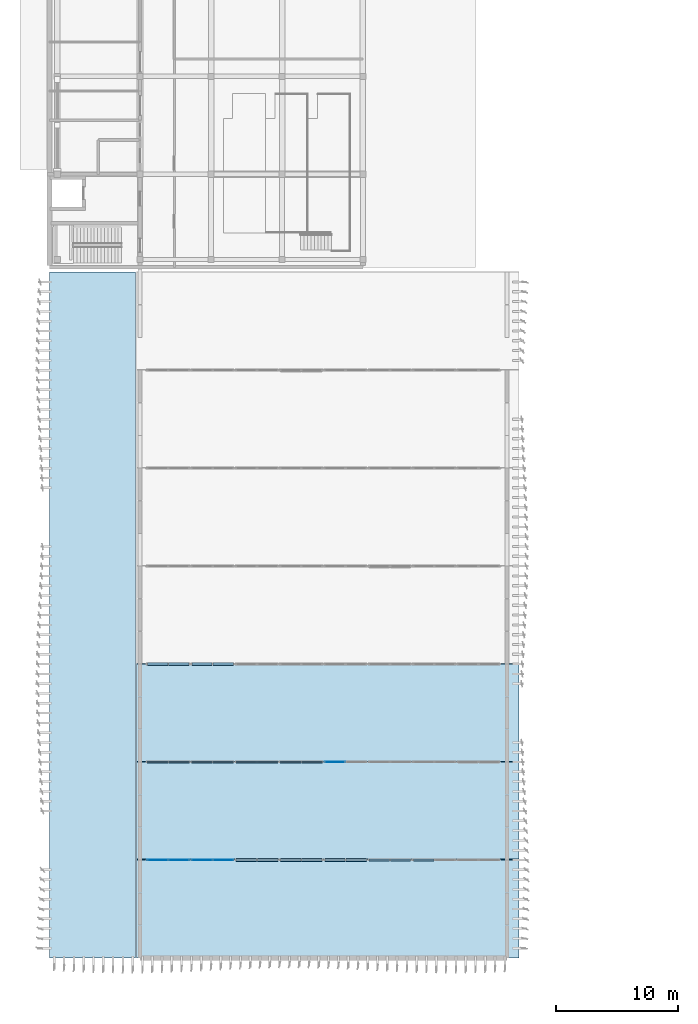
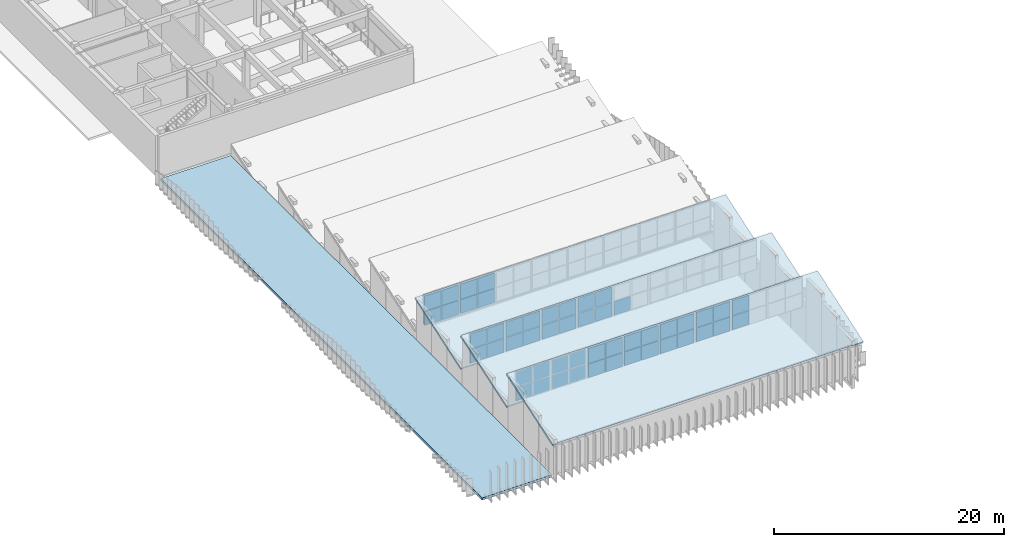
# One storey, part 18 of 45: 51 plates, 4 slabs, 14 elements without a shape of their own.
"""IFC4 building model written with IfcOpenShell, lengths in metres."""

from ifc_helpers import new_model, si_unit, direction, frame, origin, origin_2d, place, context, subcontext, project, spatial, polyline, rectangle, outline, extrude, material, layer, layer_set, type_object, element, aggregate, save


model = new_model("IFC4")

# Units and contexts
model_context = context("Model", 3, precision=1e-05, world=origin(), true_north=direction((0.0, 1.0)))
body_context = subcontext(model_context, "Body", "Model", "MODEL_VIEW")
ifc_project = project(units=[si_unit("LENGTHUNIT", "METRE"), si_unit("AREAUNIT", "SQUARE_METRE"), si_unit("VOLUMEUNIT", "CUBIC_METRE"), si_unit("PLANEANGLEUNIT", "RADIAN"), si_unit("MASSUNIT", "GRAM", prefix="KILO")], contexts=[model_context])

# Site, building, storey
site_placement = place(None, origin())
site = spatial("IfcSite", under=ifc_project, at=site_placement, CompositionType="ELEMENT")
building_placement = place(site_placement, origin())
building = spatial("IfcBuilding", under=site, at=building_placement, Name="Cinchona Park Media Centre", CompositionType="ELEMENT")
storey_placement = place(building_placement, frame((0.0, 0.0, 20.39990234375)))
storey = spatial("IfcBuildingStorey", under=building, at=storey_placement, Name="L04", CompositionType="ELEMENT", Elevation=20.39990234375)

# Curtain wall, plates
ifc_material_1 = material(Name="Aluminium Curtain Wall Framing", Category="aluminium")
ifc_layer_1 = layer(ifc_material_1, 0.31494140625)
ifc_layer_set_1 = layer_set([ifc_layer_1], Name="Aluminium Curtain Wall Framing")
curtain_wall_type = type_object("IfcCurtainWallType", Name="CW-CW10", PredefinedType="USERDEFINED", material=ifc_layer_set_1)
curtain_wall_1_placement = place(storey_placement, origin())
curtain_wall_1 = element("IfcCurtainWall", 1, at=curtain_wall_1_placement, inside=storey, type_object=curtain_wall_type, Name="North-Light Sawtooth Clerestory V1 Bay 1.7 CW10 L04", ObjectType="UNITISED CURTAIN WALL", PredefinedType="USERDEFINED")
ifc_material_2 = material(Name="Laminated Solar-Control Double Glazing", Category="glass")
ifc_layer_2 = layer(ifc_material_2, 0.02001953125)
ifc_layer_set_2 = layer_set([ifc_layer_2], Name="Laminated Solar-Control Double Glazing")
plate_type_1 = type_object("IfcPlateType", Name="CWPANEL-PNL01", PredefinedType="CURTAIN_PANEL", material=ifc_layer_set_2)
plate_1_placement = place(storey_placement, frame((22.197509765625, 15.60009765625, 2.650146484375), z_axis=(0.0, 0.0, 1.0), x_axis=(-1.0, 0.0, 0.0)))
plate_1 = element("IfcPlate", 2, at=plate_1_placement, type_object=plate_type_1, Name="CW10 panel 1.1", PredefinedType="CURTAIN_PANEL", context=body_context, shape_type="SweptSolid", body=[
    extrude(rectangle(XDim=1.6650390625, YDim=0.02001953125, at=origin_2d()), origin(), (0.0, 0.0, 1.0), 1.4580078125),
])
plate_2_placement = place(storey_placement, frame((22.197509765625, 15.60009765625, 4.17822265625), z_axis=(0.0, 0.0, 1.0), x_axis=(-1.0, 0.0, 0.0)))
plate_2 = element("IfcPlate", 3, at=plate_2_placement, type_object=plate_type_1, Name="CW10 panel 1.2", PredefinedType="CURTAIN_PANEL", context=body_context, shape_type="SweptSolid", body=[
    extrude(rectangle(XDim=1.6650390625, YDim=0.02001953125, at=origin_2d()), origin(), (0.0, 0.0, 1.0), 1.589111328125),
])
plate_3_placement = place(storey_placement, frame((20.46240234375, 15.60009765625, 2.650146484375), z_axis=(0.0, 0.0, 1.0), x_axis=(-1.0, 0.0, 0.0)))
plate_3 = element("IfcPlate", 4, at=plate_3_placement, type_object=plate_type_1, Name="CW10 panel 2.1", PredefinedType="CURTAIN_PANEL", context=body_context, shape_type="SweptSolid", body=[
    extrude(rectangle(XDim=1.6650390625, YDim=0.02001953125, at=origin_2d()), origin(), (0.0, 0.0, 1.0), 1.4580078125),
])
plate_4_placement = place(storey_placement, frame((20.46240234375, 15.60009765625, 4.17822265625), z_axis=(0.0, 0.0, 1.0), x_axis=(-1.0, 0.0, 0.0)))
plate_4 = element("IfcPlate", 5, at=plate_4_placement, type_object=plate_type_1, Name="CW10 panel 2.2", PredefinedType="CURTAIN_PANEL", context=body_context, shape_type="SweptSolid", body=[
    extrude(rectangle(XDim=1.6650390625, YDim=0.02001953125, at=origin_2d()), origin(), (0.0, 0.0, 1.0), 1.589111328125),
])
aggregate(curtain_wall_1, [plate_1, plate_2, plate_3, plate_4])

curtain_wall_2_placement = place(storey_placement, origin())
curtain_wall_2 = element("IfcCurtainWall", 6, at=curtain_wall_2_placement, inside=storey, type_object=curtain_wall_type, Name="North-Light Sawtooth Clerestory V1 Bay 1.8 CW10 L04", ObjectType="UNITISED CURTAIN WALL", PredefinedType="USERDEFINED")
ifc_material_3 = material(Name="Laminated Solar-Control Double Glazing", Category="glass")
ifc_layer_3 = layer(ifc_material_3, 0.0400390625)
ifc_layer_set_3 = layer_set([ifc_layer_3], Name="Laminated Solar-Control Double Glazing")
plate_type_2 = type_object("IfcPlateType", Name="CWPANEL-PNL03", PredefinedType="CURTAIN_PANEL", material=ifc_layer_set_3)
plate_5_placement = place(storey_placement, frame((18.577392578125, 15.60009765625, 2.650146484375), z_axis=(0.0, 0.0, 1.0), x_axis=(-1.0, 0.0, 0.0)))
plate_5 = element("IfcPlate", 7, at=plate_5_placement, type_object=plate_type_2, Name="CW10 panel 1.1", PredefinedType="CURTAIN_PANEL", context=body_context, shape_type="SweptSolid", body=[
    extrude(rectangle(XDim=1.6650390625, YDim=0.0400390625, at=origin_2d()), origin(), (0.0, 0.0, 1.0), 1.4580078125),
])
plate_6_placement = place(storey_placement, frame((18.577392578125, 15.60009765625, 4.17822265625), z_axis=(0.0, 0.0, 1.0), x_axis=(-1.0, 0.0, 0.0)))
plate_6 = element("IfcPlate", 8, at=plate_6_placement, type_object=plate_type_2, Name="CW10 panel 1.2", PredefinedType="CURTAIN_PANEL", context=body_context, shape_type="SweptSolid", body=[
    extrude(rectangle(XDim=1.6650390625, YDim=0.0400390625, at=origin_2d()), origin(), (0.0, 0.0, 1.0), 1.589111328125),
])
plate_7_placement = place(storey_placement, frame((16.842529296875, 15.60009765625, 2.650146484375), z_axis=(0.0, 0.0, 1.0), x_axis=(-1.0, 0.0, 0.0)))
plate_7 = element("IfcPlate", 9, at=plate_7_placement, type_object=plate_type_2, Name="CW10 panel 2.1", PredefinedType="CURTAIN_PANEL", context=body_context, shape_type="SweptSolid", body=[
    extrude(rectangle(XDim=1.6650390625, YDim=0.0400390625, at=origin_2d()), origin(), (0.0, 0.0, 1.0), 1.4580078125),
])
plate_8_placement = place(storey_placement, frame((16.842529296875, 15.60009765625, 4.17822265625), z_axis=(0.0, 0.0, 1.0), x_axis=(-1.0, 0.0, 0.0)))
plate_8 = element("IfcPlate", 10, at=plate_8_placement, type_object=plate_type_2, Name="CW10 panel 2.2", PredefinedType="CURTAIN_PANEL", context=body_context, shape_type="SweptSolid", body=[
    extrude(rectangle(XDim=1.6650390625, YDim=0.0400390625, at=origin_2d()), origin(), (0.0, 0.0, 1.0), 1.589111328125),
])
aggregate(curtain_wall_2, [plate_5, plate_6, plate_7, plate_8])

# Curtain wall, plate
curtain_wall_3_placement = place(storey_placement, origin())
curtain_wall_3 = element("IfcCurtainWall", 11, at=curtain_wall_3_placement, inside=storey, type_object=curtain_wall_type, Name="North-Light Sawtooth Clerestory V1 Bay 2.4 CW10 L04", ObjectType="UNITISED CURTAIN WALL", PredefinedType="USERDEFINED")
ifc_material_4 = material(Name="Laminated Solar-Control Double Glazing", Category="glass")
ifc_layer_4 = layer(ifc_material_4, 0.070068359375)
ifc_layer_set_4 = layer_set([ifc_layer_4], Name="Laminated Solar-Control Double Glazing")
plate_type_3 = type_object("IfcPlateType", Name="CWPANEL-PNL06", PredefinedType="CURTAIN_PANEL", material=ifc_layer_set_4)
plate_9_placement = place(storey_placement, frame((31.322509765625, 23.60009765625, 1.85009765625), z_axis=(0.0, 0.0, 1.0), x_axis=(-1.0, 0.0, 0.0)))
plate_9 = element("IfcPlate", 12, at=plate_9_placement, type_object=plate_type_3, Name="CW10 panel 2.1", PredefinedType="CURTAIN_PANEL", context=body_context, shape_type="SweptSolid", body=[
    extrude(rectangle(XDim=1.6650390625, YDim=0.070068359375, at=origin_2d()), origin(), (0.0, 0.0, 1.0), 1.4580078125),
])
aggregate(curtain_wall_3, [plate_9])

# Curtain wall, plates
curtain_wall_4_placement = place(storey_placement, origin())
curtain_wall_4 = element("IfcCurtainWall", 13, at=curtain_wall_4_placement, inside=storey, type_object=curtain_wall_type, Name="North-Light Sawtooth Clerestory V1 Bay 2.5 CW10 L04", ObjectType="UNITISED CURTAIN WALL", PredefinedType="USERDEFINED")
ifc_material_5 = material(Name="Insulated Acoustic Aluminium-Glass Spandrel Cassette", Category="aluminium")
ifc_layer_5 = layer(ifc_material_5, 0.090087890625)
ifc_layer_set_5 = layer_set([ifc_layer_5], Name="Insulated Acoustic Aluminium-Glass Spandrel Cassette")
plate_type_4 = type_object("IfcPlateType", Name="CWPANEL-PNL08", PredefinedType="CURTAIN_PANEL", material=ifc_layer_set_5)
plate_10_placement = place(storey_placement, frame((29.4375, 23.60009765625, 1.85009765625), z_axis=(0.0, 0.0, 1.0), x_axis=(-1.0, 0.0, 0.0)))
plate_10 = element("IfcPlate", 14, at=plate_10_placement, type_object=plate_type_4, Name="CW10 panel 1.1", PredefinedType="CURTAIN_PANEL", context=body_context, shape_type="SweptSolid", body=[
    extrude(rectangle(XDim=1.6650390625, YDim=0.090087890625, at=origin_2d()), origin(), (0.0, 0.0, 1.0), 1.4580078125),
])
plate_11_placement = place(storey_placement, frame((29.4375, 23.60009765625, 3.3779296875), z_axis=(0.0, 0.0, 1.0), x_axis=(-1.0, 0.0, 0.0)))
plate_11 = element("IfcPlate", 15, at=plate_11_placement, type_object=plate_type_4, Name="CW10 panel 1.2", PredefinedType="CURTAIN_PANEL", context=body_context, shape_type="SweptSolid", body=[
    extrude(rectangle(XDim=1.6650390625, YDim=0.090087890625, at=origin_2d()), origin(), (0.0, 0.0, 1.0), 1.589111328125),
])
plate_12_placement = place(storey_placement, frame((27.702392578125, 23.60009765625, 1.85009765625), z_axis=(0.0, 0.0, 1.0), x_axis=(-1.0, 0.0, 0.0)))
plate_12 = element("IfcPlate", 16, at=plate_12_placement, type_object=plate_type_4, Name="CW10 panel 2.1", PredefinedType="CURTAIN_PANEL", context=body_context, shape_type="SweptSolid", body=[
    extrude(rectangle(XDim=1.6650390625, YDim=0.090087890625, at=origin_2d()), origin(), (0.0, 0.0, 1.0), 1.4580078125),
])
plate_13_placement = place(storey_placement, frame((27.702392578125, 23.60009765625, 3.3779296875), z_axis=(0.0, 0.0, 1.0), x_axis=(-1.0, 0.0, 0.0)))
plate_13 = element("IfcPlate", 17, at=plate_13_placement, type_object=plate_type_4, Name="CW10 panel 2.2", PredefinedType="CURTAIN_PANEL", context=body_context, shape_type="SweptSolid", body=[
    extrude(rectangle(XDim=1.6650390625, YDim=0.090087890625, at=origin_2d()), origin(), (0.0, 0.0, 1.0), 1.589111328125),
])
aggregate(curtain_wall_4, [plate_10, plate_11, plate_12, plate_13])

curtain_wall_5_placement = place(storey_placement, origin())
curtain_wall_5 = element("IfcCurtainWall", 18, at=curtain_wall_5_placement, inside=storey, type_object=curtain_wall_type, Name="North-Light Sawtooth Clerestory V1 Bay 2.6 CW10 L04", ObjectType="UNITISED CURTAIN WALL", PredefinedType="USERDEFINED")
ifc_material_6 = material(Name="Insulated Acoustic Aluminium-Glass Spandrel Cassette", Category="aluminium")
ifc_layer_6 = layer(ifc_material_6, 0.110107421875)
ifc_layer_set_6 = layer_set([ifc_layer_6], Name="Insulated Acoustic Aluminium-Glass Spandrel Cassette")
plate_type_5 = type_object("IfcPlateType", Name="CWPANEL-PNL10", PredefinedType="CURTAIN_PANEL", material=ifc_layer_set_6)
plate_14_placement = place(storey_placement, frame((25.8173828125, 23.60009765625, 1.85009765625), z_axis=(0.0, 0.0, 1.0), x_axis=(-1.0, 0.0, 0.0)))
plate_14 = element("IfcPlate", 19, at=plate_14_placement, type_object=plate_type_5, Name="CW10 panel 1.1", PredefinedType="CURTAIN_PANEL", context=body_context, shape_type="SweptSolid", body=[
    extrude(rectangle(XDim=1.6650390625, YDim=0.110107421875, at=origin_2d()), origin(), (0.0, 0.0, 1.0), 1.4580078125),
])
plate_15_placement = place(storey_placement, frame((25.8173828125, 23.60009765625, 3.3779296875), z_axis=(0.0, 0.0, 1.0), x_axis=(-1.0, 0.0, 0.0)))
plate_15 = element("IfcPlate", 20, at=plate_15_placement, type_object=plate_type_5, Name="CW10 panel 1.2", PredefinedType="CURTAIN_PANEL", context=body_context, shape_type="SweptSolid", body=[
    extrude(rectangle(XDim=1.6650390625, YDim=0.110107421875, at=origin_2d()), origin(), (0.0, 0.0, 1.0), 1.589111328125),
])
plate_16_placement = place(storey_placement, frame((24.08251953125, 23.60009765625, 1.85009765625), z_axis=(0.0, 0.0, 1.0), x_axis=(-1.0, 0.0, 0.0)))
plate_16 = element("IfcPlate", 21, at=plate_16_placement, type_object=plate_type_5, Name="CW10 panel 2.1", PredefinedType="CURTAIN_PANEL", context=body_context, shape_type="SweptSolid", body=[
    extrude(rectangle(XDim=1.6650390625, YDim=0.110107421875, at=origin_2d()), origin(), (0.0, 0.0, 1.0), 1.4580078125),
])
plate_17_placement = place(storey_placement, frame((24.08251953125, 23.60009765625, 3.3779296875), z_axis=(0.0, 0.0, 1.0), x_axis=(-1.0, 0.0, 0.0)))
plate_17 = element("IfcPlate", 22, at=plate_17_placement, type_object=plate_type_5, Name="CW10 panel 2.2", PredefinedType="CURTAIN_PANEL", context=body_context, shape_type="SweptSolid", body=[
    extrude(rectangle(XDim=1.6650390625, YDim=0.110107421875, at=origin_2d()), origin(), (0.0, 0.0, 1.0), 1.589111328125),
])
aggregate(curtain_wall_5, [plate_14, plate_15, plate_16, plate_17])

curtain_wall_6_placement = place(storey_placement, origin())
curtain_wall_6 = element("IfcCurtainWall", 23, at=curtain_wall_6_placement, inside=storey, type_object=curtain_wall_type, Name="North-Light Sawtooth Clerestory V1 Bay 2.7 CW10 L04", ObjectType="UNITISED CURTAIN WALL", PredefinedType="USERDEFINED")
ifc_material_7 = material(Name="Insulated Acoustic Aluminium-Glass Spandrel Cassette", Category="aluminium")
ifc_layer_7 = layer(ifc_material_7, 0.1298828125)
ifc_layer_set_7 = layer_set([ifc_layer_7], Name="Insulated Acoustic Aluminium-Glass Spandrel Cassette")
plate_type_6 = type_object("IfcPlateType", Name="CWPANEL-PNL12", PredefinedType="CURTAIN_PANEL", material=ifc_layer_set_7)
plate_18_placement = place(storey_placement, frame((22.197509765625, 23.60009765625, 1.85009765625), z_axis=(0.0, 0.0, 1.0), x_axis=(-1.0, 0.0, 0.0)))
plate_18 = element("IfcPlate", 24, at=plate_18_placement, type_object=plate_type_6, Name="CW10 panel 1.1", PredefinedType="CURTAIN_PANEL", context=body_context, shape_type="SweptSolid", body=[
    extrude(rectangle(XDim=1.6650390625, YDim=0.1298828125, at=origin_2d()), origin(), (0.0, 0.0, 1.0), 1.4580078125),
])
plate_19_placement = place(storey_placement, frame((22.197509765625, 23.60009765625, 3.3779296875), z_axis=(0.0, 0.0, 1.0), x_axis=(-1.0, 0.0, 0.0)))
plate_19 = element("IfcPlate", 25, at=plate_19_placement, type_object=plate_type_6, Name="CW10 panel 1.2", PredefinedType="CURTAIN_PANEL", context=body_context, shape_type="SweptSolid", body=[
    extrude(rectangle(XDim=1.6650390625, YDim=0.1298828125, at=origin_2d()), origin(), (0.0, 0.0, 1.0), 1.589111328125),
])
plate_20_placement = place(storey_placement, frame((20.46240234375, 23.60009765625, 1.85009765625), z_axis=(0.0, 0.0, 1.0), x_axis=(-1.0, 0.0, 0.0)))
plate_20 = element("IfcPlate", 26, at=plate_20_placement, type_object=plate_type_6, Name="CW10 panel 2.1", PredefinedType="CURTAIN_PANEL", context=body_context, shape_type="SweptSolid", body=[
    extrude(rectangle(XDim=1.6650390625, YDim=0.1298828125, at=origin_2d()), origin(), (0.0, 0.0, 1.0), 1.4580078125),
])
plate_21_placement = place(storey_placement, frame((20.46240234375, 23.60009765625, 3.3779296875), z_axis=(0.0, 0.0, 1.0), x_axis=(-1.0, 0.0, 0.0)))
plate_21 = element("IfcPlate", 27, at=plate_21_placement, type_object=plate_type_6, Name="CW10 panel 2.2", PredefinedType="CURTAIN_PANEL", context=body_context, shape_type="SweptSolid", body=[
    extrude(rectangle(XDim=1.6650390625, YDim=0.1298828125, at=origin_2d()), origin(), (0.0, 0.0, 1.0), 1.589111328125),
])
aggregate(curtain_wall_6, [plate_18, plate_19, plate_20, plate_21])

curtain_wall_7_placement = place(storey_placement, origin())
curtain_wall_7 = element("IfcCurtainWall", 28, at=curtain_wall_7_placement, inside=storey, type_object=curtain_wall_type, Name="North-Light Sawtooth Clerestory V1 Bay 2.8 CW10 L04", ObjectType="UNITISED CURTAIN WALL", PredefinedType="USERDEFINED")
ifc_material_8 = material(Name="Insulated Acoustic Aluminium-Glass Spandrel Cassette", Category="aluminium")
ifc_layer_8 = layer(ifc_material_8, 0.14990234375)
ifc_layer_set_8 = layer_set([ifc_layer_8], Name="Insulated Acoustic Aluminium-Glass Spandrel Cassette")
plate_type_7 = type_object("IfcPlateType", Name="CWPANEL-PNL14", PredefinedType="CURTAIN_PANEL", material=ifc_layer_set_8)
plate_22_placement = place(storey_placement, frame((18.577392578125, 23.60009765625, 1.85009765625), z_axis=(0.0, 0.0, 1.0), x_axis=(-1.0, 0.0, 0.0)))
plate_22 = element("IfcPlate", 29, at=plate_22_placement, type_object=plate_type_7, Name="CW10 panel 1.1", PredefinedType="CURTAIN_PANEL", context=body_context, shape_type="SweptSolid", body=[
    extrude(rectangle(XDim=1.6650390625, YDim=0.14990234375, at=origin_2d()), origin(), (0.0, 0.0, 1.0), 1.4580078125),
])
plate_23_placement = place(storey_placement, frame((18.577392578125, 23.60009765625, 3.3779296875), z_axis=(0.0, 0.0, 1.0), x_axis=(-1.0, 0.0, 0.0)))
plate_23 = element("IfcPlate", 30, at=plate_23_placement, type_object=plate_type_7, Name="CW10 panel 1.2", PredefinedType="CURTAIN_PANEL", context=body_context, shape_type="SweptSolid", body=[
    extrude(rectangle(XDim=1.6650390625, YDim=0.14990234375, at=origin_2d()), origin(), (0.0, 0.0, 1.0), 1.589111328125),
])
plate_24_placement = place(storey_placement, frame((16.842529296875, 23.60009765625, 1.85009765625), z_axis=(0.0, 0.0, 1.0), x_axis=(-1.0, 0.0, 0.0)))
plate_24 = element("IfcPlate", 31, at=plate_24_placement, type_object=plate_type_7, Name="CW10 panel 2.1", PredefinedType="CURTAIN_PANEL", context=body_context, shape_type="SweptSolid", body=[
    extrude(rectangle(XDim=1.6650390625, YDim=0.14990234375, at=origin_2d()), origin(), (0.0, 0.0, 1.0), 1.4580078125),
])
plate_25_placement = place(storey_placement, frame((16.842529296875, 23.60009765625, 3.3779296875), z_axis=(0.0, 0.0, 1.0), x_axis=(-1.0, 0.0, 0.0)))
plate_25 = element("IfcPlate", 32, at=plate_25_placement, type_object=plate_type_7, Name="CW10 panel 2.2", PredefinedType="CURTAIN_PANEL", context=body_context, shape_type="SweptSolid", body=[
    extrude(rectangle(XDim=1.6650390625, YDim=0.14990234375, at=origin_2d()), origin(), (0.0, 0.0, 1.0), 1.589111328125),
])
aggregate(curtain_wall_7, [plate_22, plate_23, plate_24, plate_25])

curtain_wall_8_placement = place(storey_placement, origin())
curtain_wall_8 = element("IfcCurtainWall", 33, at=curtain_wall_8_placement, inside=storey, type_object=curtain_wall_type, Name="North-Light Sawtooth Clerestory V1 Bay 1.2 CW10 L04", ObjectType="UNITISED CURTAIN WALL", PredefinedType="USERDEFINED")
ifc_material_9 = material(Name="Insulated Acoustic Aluminium-Glass Spandrel Cassette", Category="aluminium")
ifc_layer_9 = layer(ifc_material_9, 0.179931640625)
ifc_layer_set_9 = layer_set([ifc_layer_9], Name="Insulated Acoustic Aluminium-Glass Spandrel Cassette")
plate_type_8 = type_object("IfcPlateType", Name="CWPANEL-PNL17", PredefinedType="CURTAIN_PANEL", material=ifc_layer_set_9)
plate_26_placement = place(storey_placement, frame((38.5625, 15.60009765625, 2.650146484375), z_axis=(0.0, 0.0, 1.0), x_axis=(-1.0, 0.0, 0.0)))
plate_26 = element("IfcPlate", 34, at=plate_26_placement, type_object=plate_type_8, Name="CW10 panel 2.1", PredefinedType="CURTAIN_PANEL", context=body_context, shape_type="SweptSolid", body=[
    extrude(rectangle(XDim=1.6650390625, YDim=0.179931640625, at=origin_2d()), origin(), (0.0, 0.0, 1.0), 1.4580078125),
])
plate_27_placement = place(storey_placement, frame((38.5625, 15.60009765625, 4.17822265625), z_axis=(0.0, 0.0, 1.0), x_axis=(-1.0, 0.0, 0.0)))
plate_27 = element("IfcPlate", 35, at=plate_27_placement, type_object=plate_type_8, Name="CW10 panel 2.2", PredefinedType="CURTAIN_PANEL", context=body_context, shape_type="SweptSolid", body=[
    extrude(rectangle(XDim=1.6650390625, YDim=0.179931640625, at=origin_2d()), origin(), (0.0, 0.0, 1.0), 1.589111328125),
])
aggregate(curtain_wall_8, [plate_26, plate_27])

curtain_wall_9_placement = place(storey_placement, origin())
curtain_wall_9 = element("IfcCurtainWall", 36, at=curtain_wall_9_placement, inside=storey, type_object=curtain_wall_type, Name="North-Light Sawtooth Clerestory V1 Bay 1.3 CW10 L04", ObjectType="UNITISED CURTAIN WALL", PredefinedType="USERDEFINED")
ifc_material_10 = material(Name="Insulated Acoustic Aluminium-Glass Spandrel Cassette", Category="aluminium")
ifc_layer_10 = layer(ifc_material_10, 0.199951171875)
ifc_layer_set_10 = layer_set([ifc_layer_10], Name="Insulated Acoustic Aluminium-Glass Spandrel Cassette")
plate_type_9 = type_object("IfcPlateType", Name="CWPANEL-PNL19", PredefinedType="CURTAIN_PANEL", material=ifc_layer_set_10)
plate_28_placement = place(storey_placement, frame((36.677490234375, 15.60009765625, 2.650146484375), z_axis=(0.0, 0.0, 1.0), x_axis=(-1.0, 0.0, 0.0)))
plate_28 = element("IfcPlate", 37, at=plate_28_placement, type_object=plate_type_9, Name="CW10 panel 1.1", PredefinedType="CURTAIN_PANEL", context=body_context, shape_type="SweptSolid", body=[
    extrude(rectangle(XDim=1.6650390625, YDim=0.199951171875, at=origin_2d()), origin(), (0.0, 0.0, 1.0), 1.4580078125),
])
plate_29_placement = place(storey_placement, frame((36.677490234375, 15.60009765625, 4.17822265625), z_axis=(0.0, 0.0, 1.0), x_axis=(-1.0, 0.0, 0.0)))
plate_29 = element("IfcPlate", 38, at=plate_29_placement, type_object=plate_type_9, Name="CW10 panel 1.2", PredefinedType="CURTAIN_PANEL", context=body_context, shape_type="SweptSolid", body=[
    extrude(rectangle(XDim=1.6650390625, YDim=0.199951171875, at=origin_2d()), origin(), (0.0, 0.0, 1.0), 1.589111328125),
])
plate_30_placement = place(storey_placement, frame((34.9423828125, 15.60009765625, 2.650146484375), z_axis=(0.0, 0.0, 1.0), x_axis=(-1.0, 0.0, 0.0)))
plate_30 = element("IfcPlate", 39, at=plate_30_placement, type_object=plate_type_9, Name="CW10 panel 2.1", PredefinedType="CURTAIN_PANEL", context=body_context, shape_type="SweptSolid", body=[
    extrude(rectangle(XDim=1.6650390625, YDim=0.199951171875, at=origin_2d()), origin(), (0.0, 0.0, 1.0), 1.4580078125),
])
plate_31_placement = place(storey_placement, frame((34.9423828125, 15.60009765625, 4.17822265625), z_axis=(0.0, 0.0, 1.0), x_axis=(-1.0, 0.0, 0.0)))
plate_31 = element("IfcPlate", 40, at=plate_31_placement, type_object=plate_type_9, Name="CW10 panel 2.2", PredefinedType="CURTAIN_PANEL", context=body_context, shape_type="SweptSolid", body=[
    extrude(rectangle(XDim=1.6650390625, YDim=0.199951171875, at=origin_2d()), origin(), (0.0, 0.0, 1.0), 1.589111328125),
])
aggregate(curtain_wall_9, [plate_28, plate_29, plate_30, plate_31])

curtain_wall_10_placement = place(storey_placement, origin())
curtain_wall_10 = element("IfcCurtainWall", 41, at=curtain_wall_10_placement, inside=storey, type_object=curtain_wall_type, Name="North-Light Sawtooth Clerestory V1 Bay 1.4 CW10 L04", ObjectType="UNITISED CURTAIN WALL", PredefinedType="USERDEFINED")
ifc_material_11 = material(Name="Insulated Acoustic Aluminium-Glass Spandrel Cassette", Category="aluminium")
ifc_layer_11 = layer(ifc_material_11, 0.219970703125)
ifc_layer_set_11 = layer_set([ifc_layer_11], Name="Insulated Acoustic Aluminium-Glass Spandrel Cassette")
plate_type_10 = type_object("IfcPlateType", Name="CWPANEL-PNL21", PredefinedType="CURTAIN_PANEL", material=ifc_layer_set_11)
plate_32_placement = place(storey_placement, frame((33.0576171875, 15.60009765625, 2.650146484375), z_axis=(0.0, 0.0, 1.0), x_axis=(-1.0, 0.0, 0.0)))
plate_32 = element("IfcPlate", 42, at=plate_32_placement, type_object=plate_type_10, Name="CW10 panel 1.1", PredefinedType="CURTAIN_PANEL", context=body_context, shape_type="SweptSolid", body=[
    extrude(rectangle(XDim=1.6650390625, YDim=0.219970703125, at=origin_2d()), origin(), (0.0, 0.0, 1.0), 1.4580078125),
])
plate_33_placement = place(storey_placement, frame((33.0576171875, 15.60009765625, 4.17822265625), z_axis=(0.0, 0.0, 1.0), x_axis=(-1.0, 0.0, 0.0)))
plate_33 = element("IfcPlate", 43, at=plate_33_placement, type_object=plate_type_10, Name="CW10 panel 1.2", PredefinedType="CURTAIN_PANEL", context=body_context, shape_type="SweptSolid", body=[
    extrude(rectangle(XDim=1.6650390625, YDim=0.219970703125, at=origin_2d()), origin(), (0.0, 0.0, 1.0), 1.589111328125),
])
plate_34_placement = place(storey_placement, frame((31.322509765625, 15.60009765625, 2.650146484375), z_axis=(0.0, 0.0, 1.0), x_axis=(-1.0, 0.0, 0.0)))
plate_34 = element("IfcPlate", 44, at=plate_34_placement, type_object=plate_type_10, Name="CW10 panel 2.1", PredefinedType="CURTAIN_PANEL", context=body_context, shape_type="SweptSolid", body=[
    extrude(rectangle(XDim=1.6650390625, YDim=0.219970703125, at=origin_2d()), origin(), (0.0, 0.0, 1.0), 1.4580078125),
])
plate_35_placement = place(storey_placement, frame((31.322509765625, 15.60009765625, 4.17822265625), z_axis=(0.0, 0.0, 1.0), x_axis=(-1.0, 0.0, 0.0)))
plate_35 = element("IfcPlate", 45, at=plate_35_placement, type_object=plate_type_10, Name="CW10 panel 2.2", PredefinedType="CURTAIN_PANEL", context=body_context, shape_type="SweptSolid", body=[
    extrude(rectangle(XDim=1.6650390625, YDim=0.219970703125, at=origin_2d()), origin(), (0.0, 0.0, 1.0), 1.589111328125),
])
aggregate(curtain_wall_10, [plate_32, plate_33, plate_34, plate_35])

curtain_wall_11_placement = place(storey_placement, origin())
curtain_wall_11 = element("IfcCurtainWall", 46, at=curtain_wall_11_placement, inside=storey, type_object=curtain_wall_type, Name="North-Light Sawtooth Clerestory V1 Bay 1.5 CW10 L04", ObjectType="UNITISED CURTAIN WALL", PredefinedType="USERDEFINED")
ifc_material_12 = material(Name="Insulated Acoustic Aluminium-Glass Spandrel Cassette", Category="aluminium")
ifc_layer_12 = layer(ifc_material_12, 0.239990234375)
ifc_layer_set_12 = layer_set([ifc_layer_12], Name="Insulated Acoustic Aluminium-Glass Spandrel Cassette")
plate_type_11 = type_object("IfcPlateType", Name="CWPANEL-PNL23", PredefinedType="CURTAIN_PANEL", material=ifc_layer_set_12)
plate_36_placement = place(storey_placement, frame((29.4375, 15.60009765625, 2.650146484375), z_axis=(0.0, 0.0, 1.0), x_axis=(-1.0, 0.0, 0.0)))
plate_36 = element("IfcPlate", 47, at=plate_36_placement, type_object=plate_type_11, Name="CW10 panel 1.1", PredefinedType="CURTAIN_PANEL", context=body_context, shape_type="SweptSolid", body=[
    extrude(rectangle(XDim=1.6650390625, YDim=0.239990234375, at=origin_2d()), origin(), (0.0, 0.0, 1.0), 1.4580078125),
])
plate_37_placement = place(storey_placement, frame((29.4375, 15.60009765625, 4.17822265625), z_axis=(0.0, 0.0, 1.0), x_axis=(-1.0, 0.0, 0.0)))
plate_37 = element("IfcPlate", 48, at=plate_37_placement, type_object=plate_type_11, Name="CW10 panel 1.2", PredefinedType="CURTAIN_PANEL", context=body_context, shape_type="SweptSolid", body=[
    extrude(rectangle(XDim=1.6650390625, YDim=0.239990234375, at=origin_2d()), origin(), (0.0, 0.0, 1.0), 1.589111328125),
])
plate_38_placement = place(storey_placement, frame((27.702392578125, 15.60009765625, 2.650146484375), z_axis=(0.0, 0.0, 1.0), x_axis=(-1.0, 0.0, 0.0)))
plate_38 = element("IfcPlate", 49, at=plate_38_placement, type_object=plate_type_11, Name="CW10 panel 2.1", PredefinedType="CURTAIN_PANEL", context=body_context, shape_type="SweptSolid", body=[
    extrude(rectangle(XDim=1.6650390625, YDim=0.239990234375, at=origin_2d()), origin(), (0.0, 0.0, 1.0), 1.4580078125),
])
plate_39_placement = place(storey_placement, frame((27.702392578125, 15.60009765625, 4.17822265625), z_axis=(0.0, 0.0, 1.0), x_axis=(-1.0, 0.0, 0.0)))
plate_39 = element("IfcPlate", 50, at=plate_39_placement, type_object=plate_type_11, Name="CW10 panel 2.2", PredefinedType="CURTAIN_PANEL", context=body_context, shape_type="SweptSolid", body=[
    extrude(rectangle(XDim=1.6650390625, YDim=0.239990234375, at=origin_2d()), origin(), (0.0, 0.0, 1.0), 1.589111328125),
])
aggregate(curtain_wall_11, [plate_36, plate_37, plate_38, plate_39])

curtain_wall_12_placement = place(storey_placement, origin())
curtain_wall_12 = element("IfcCurtainWall", 51, at=curtain_wall_12_placement, inside=storey, type_object=curtain_wall_type, Name="North-Light Sawtooth Clerestory V1 Bay 3.7 CW10 L04", ObjectType="UNITISED CURTAIN WALL", PredefinedType="USERDEFINED")
plate_40_placement = place(storey_placement, frame((22.197509765625, 31.60009765625, 1.050048828125), z_axis=(0.0, 0.0, 1.0), x_axis=(-1.0, 0.0, 0.0)))
plate_40 = element("IfcPlate", 52, at=plate_40_placement, type_object=plate_type_11, Name="CW10 panel 1.1", PredefinedType="CURTAIN_PANEL", context=body_context, shape_type="SweptSolid", body=[
    extrude(rectangle(XDim=1.6650390625, YDim=0.239990234375, at=origin_2d()), origin(), (0.0, 0.0, 1.0), 1.4580078125),
])
plate_41_placement = place(storey_placement, frame((22.197509765625, 31.60009765625, 2.578125), z_axis=(0.0, 0.0, 1.0), x_axis=(-1.0, 0.0, 0.0)))
plate_41 = element("IfcPlate", 53, at=plate_41_placement, type_object=plate_type_11, Name="CW10 panel 1.2", PredefinedType="CURTAIN_PANEL", context=body_context, shape_type="SweptSolid", body=[
    extrude(rectangle(XDim=1.6650390625, YDim=0.239990234375, at=origin_2d()), origin(), (0.0, 0.0, 1.0), 1.589111328125),
])
plate_42_placement = place(storey_placement, frame((20.46240234375, 31.60009765625, 1.050048828125), z_axis=(0.0, 0.0, 1.0), x_axis=(-1.0, 0.0, 0.0)))
plate_42 = element("IfcPlate", 54, at=plate_42_placement, type_object=plate_type_11, Name="CW10 panel 2.1", PredefinedType="CURTAIN_PANEL", context=body_context, shape_type="SweptSolid", body=[
    extrude(rectangle(XDim=1.6650390625, YDim=0.239990234375, at=origin_2d()), origin(), (0.0, 0.0, 1.0), 1.4580078125),
])
plate_43_placement = place(storey_placement, frame((20.46240234375, 31.60009765625, 2.578125), z_axis=(0.0, 0.0, 1.0), x_axis=(-1.0, 0.0, 0.0)))
plate_43 = element("IfcPlate", 55, at=plate_43_placement, type_object=plate_type_11, Name="CW10 panel 2.2", PredefinedType="CURTAIN_PANEL", context=body_context, shape_type="SweptSolid", body=[
    extrude(rectangle(XDim=1.6650390625, YDim=0.239990234375, at=origin_2d()), origin(), (0.0, 0.0, 1.0), 1.589111328125),
])
aggregate(curtain_wall_12, [plate_40, plate_41, plate_42, plate_43])

curtain_wall_13_placement = place(storey_placement, origin())
curtain_wall_13 = element("IfcCurtainWall", 56, at=curtain_wall_13_placement, inside=storey, type_object=curtain_wall_type, Name="North-Light Sawtooth Clerestory V1 Bay 1.6 CW10 L04", ObjectType="UNITISED CURTAIN WALL", PredefinedType="USERDEFINED")
ifc_material_13 = material(Name="Insulated Acoustic Aluminium-Glass Spandrel Cassette", Category="aluminium")
ifc_layer_13 = layer(ifc_material_13, 0.260009765625)
ifc_layer_set_13 = layer_set([ifc_layer_13], Name="Insulated Acoustic Aluminium-Glass Spandrel Cassette")
plate_type_12 = type_object("IfcPlateType", Name="CWPANEL-PNL25", PredefinedType="CURTAIN_PANEL", material=ifc_layer_set_13)
plate_44_placement = place(storey_placement, frame((25.8173828125, 15.60009765625, 2.650146484375), z_axis=(0.0, 0.0, 1.0), x_axis=(-1.0, 0.0, 0.0)))
plate_44 = element("IfcPlate", 57, at=plate_44_placement, type_object=plate_type_12, Name="CW10 panel 1.1", PredefinedType="CURTAIN_PANEL", context=body_context, shape_type="SweptSolid", body=[
    extrude(rectangle(XDim=1.6650390625, YDim=0.260009765625, at=origin_2d()), origin(), (0.0, 0.0, 1.0), 1.4580078125),
])
plate_45_placement = place(storey_placement, frame((25.8173828125, 15.60009765625, 4.17822265625), z_axis=(0.0, 0.0, 1.0), x_axis=(-1.0, 0.0, 0.0)))
plate_45 = element("IfcPlate", 58, at=plate_45_placement, type_object=plate_type_12, Name="CW10 panel 1.2", PredefinedType="CURTAIN_PANEL", context=body_context, shape_type="SweptSolid", body=[
    extrude(rectangle(XDim=1.6650390625, YDim=0.260009765625, at=origin_2d()), origin(), (0.0, 0.0, 1.0), 1.589111328125),
])
plate_46_placement = place(storey_placement, frame((24.08251953125, 15.60009765625, 2.650146484375), z_axis=(0.0, 0.0, 1.0), x_axis=(-1.0, 0.0, 0.0)))
plate_46 = element("IfcPlate", 59, at=plate_46_placement, type_object=plate_type_12, Name="CW10 panel 2.1", PredefinedType="CURTAIN_PANEL", context=body_context, shape_type="SweptSolid", body=[
    extrude(rectangle(XDim=1.6650390625, YDim=0.260009765625, at=origin_2d()), origin(), (0.0, 0.0, 1.0), 1.4580078125),
])
plate_47_placement = place(storey_placement, frame((24.08251953125, 15.60009765625, 4.17822265625), z_axis=(0.0, 0.0, 1.0), x_axis=(-1.0, 0.0, 0.0)))
plate_47 = element("IfcPlate", 60, at=plate_47_placement, type_object=plate_type_12, Name="CW10 panel 2.2", PredefinedType="CURTAIN_PANEL", context=body_context, shape_type="SweptSolid", body=[
    extrude(rectangle(XDim=1.6650390625, YDim=0.260009765625, at=origin_2d()), origin(), (0.0, 0.0, 1.0), 1.589111328125),
])
aggregate(curtain_wall_13, [plate_44, plate_45, plate_46, plate_47])

curtain_wall_14_placement = place(storey_placement, origin())
curtain_wall_14 = element("IfcCurtainWall", 61, at=curtain_wall_14_placement, inside=storey, type_object=curtain_wall_type, Name="North-Light Sawtooth Clerestory V1 Bay 3.8 CW10 L04", ObjectType="UNITISED CURTAIN WALL", PredefinedType="USERDEFINED")
plate_48_placement = place(storey_placement, frame((18.577392578125, 31.60009765625, 1.050048828125), z_axis=(0.0, 0.0, 1.0), x_axis=(-1.0, 0.0, 0.0)))
plate_48 = element("IfcPlate", 62, at=plate_48_placement, type_object=plate_type_12, Name="CW10 panel 1.1", PredefinedType="CURTAIN_PANEL", context=body_context, shape_type="SweptSolid", body=[
    extrude(rectangle(XDim=1.6650390625, YDim=0.260009765625, at=origin_2d()), origin(), (0.0, 0.0, 1.0), 1.4580078125),
])
plate_49_placement = place(storey_placement, frame((18.577392578125, 31.60009765625, 2.578125), z_axis=(0.0, 0.0, 1.0), x_axis=(-1.0, 0.0, 0.0)))
plate_49 = element("IfcPlate", 63, at=plate_49_placement, type_object=plate_type_12, Name="CW10 panel 1.2", PredefinedType="CURTAIN_PANEL", context=body_context, shape_type="SweptSolid", body=[
    extrude(rectangle(XDim=1.6650390625, YDim=0.260009765625, at=origin_2d()), origin(), (0.0, 0.0, 1.0), 1.589111328125),
])
plate_50_placement = place(storey_placement, frame((16.842529296875, 31.60009765625, 1.050048828125), z_axis=(0.0, 0.0, 1.0), x_axis=(-1.0, 0.0, 0.0)))
plate_50 = element("IfcPlate", 64, at=plate_50_placement, type_object=plate_type_12, Name="CW10 panel 2.1", PredefinedType="CURTAIN_PANEL", context=body_context, shape_type="SweptSolid", body=[
    extrude(rectangle(XDim=1.6650390625, YDim=0.260009765625, at=origin_2d()), origin(), (0.0, 0.0, 1.0), 1.4580078125),
])
plate_51_placement = place(storey_placement, frame((16.842529296875, 31.60009765625, 2.578125), z_axis=(0.0, 0.0, 1.0), x_axis=(-1.0, 0.0, 0.0)))
plate_51 = element("IfcPlate", 65, at=plate_51_placement, type_object=plate_type_12, Name="CW10 panel 2.2", PredefinedType="CURTAIN_PANEL", context=body_context, shape_type="SweptSolid", body=[
    extrude(rectangle(XDim=1.6650390625, YDim=0.260009765625, at=origin_2d()), origin(), (0.0, 0.0, 1.0), 1.589111328125),
])
aggregate(curtain_wall_14, [plate_48, plate_49, plate_50, plate_51])

# Slabs
ifc_material_14 = material(Name="Concrete C35/45", Category="concrete")
ifc_layer_14 = layer(ifc_material_14, 0.2451171875)
ifc_layer_set_14 = layer_set([ifc_layer_14], Name="Concrete C35/45")
slab_type = type_object("IfcSlabType", Name="SLAB-RS01-245", PredefinedType="ROOF", material=ifc_layer_set_14)
slab_1_placement = place(storey_placement, frame((0.0, 0.0, -0.244873046875)))
element("IfcSlab", 66, at=slab_1_placement, inside=storey, type_object=slab_type, Name="Roof Slab RF-V1-WEST", PredefinedType="ROOF", context=body_context, shape_type="SweptSolid", body=[
    extrude(outline(polyline([(8.0, 7.60009765625), (15.050048828125, 7.60009765625), (15.050048828125, 63.60009765625), (8.0, 63.60009765625), (8.0, 7.60009765625)])), origin(), (0.0, 0.0, 1.0), 0.244873046875),
])
slab_2_placement = place(storey_placement, frame((15.10009765625, 7.60009765625, 3.18701171875), z_axis=(0.0, -0.319799410609, 0.947485270057), x_axis=(1.0, 0.0, 0.0)))
element("IfcSlab", 67, at=slab_2_placement, inside=storey, type_object=slab_type, Name="Sawtooth Sloped Roof Slab V1 Bay 1", PredefinedType="ROOF", context=body_context, shape_type="SweptSolid", body=[
    extrude(outline(polyline([(0.0, 0.0), (31.25, 0.0), (31.25, 8.443403029919095), (0.0, 8.443403029919095), (0.0, 0.0)])), origin(), (0.0, 0.0, -1.0), 0.199951171875),
])
for number, where, z_axis, x_axis, name in (
    (68, (15.10009765625, 15.60009765625, 2.38720703125), (0.0, -0.319773452474, 0.947494031165), (1.0, 0.0, 0.0), "Sawtooth Sloped Roof Slab V1 Bay 2"),
    (69, (15.10009765625, 23.60009765625, 1.587158203125), (0.0, -0.319773452474, 0.947494031165), (1.0, 0.0, 0.0), "Sawtooth Sloped Roof Slab V1 Bay 3"),
):
    element("IfcSlab", number, at=place(storey_placement, frame(where, z_axis=z_axis, x_axis=x_axis)), inside=storey, type_object=slab_type, Name=name, PredefinedType="ROOF", context=body_context, shape_type="SweptSolid", body=[
        extrude(outline(polyline([(0.0, 0.0), (31.25, 0.0), (31.25, 8.443324957059819), (0.0, 8.443324957059819), (0.0, 0.0)])), origin(), (0.0, 0.0, -1.0), 0.199951171875),
    ])

save(model, "model.ifc")
